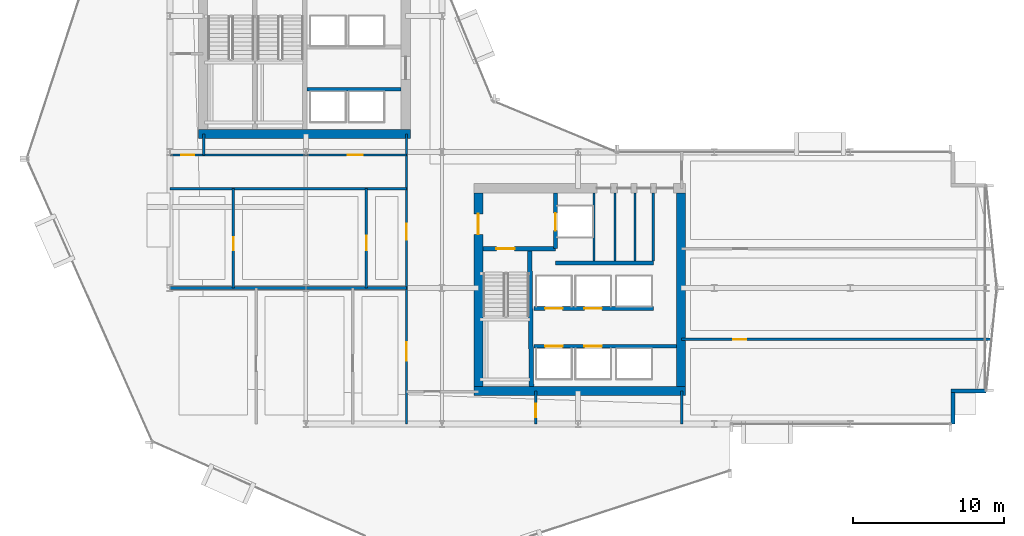
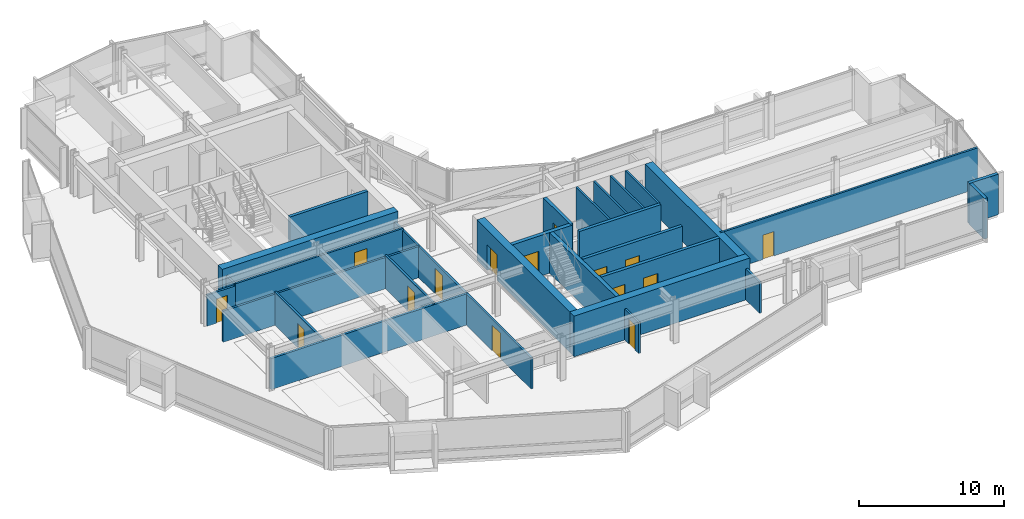
# One storey, part 27 of 34: 28 walls, 15 doors, 15 openings.
"""IFC4 building model written with IfcOpenShell, lengths in metres."""

from ifc_helpers import new_model, si_unit, direction, frame, frame_2d, origin, place, context, subcontext, project, spatial, rectangle, extrude, material, layer, layer_set, type_object, element, fill, save


model = new_model("IFC4")

# Units and contexts
model_context = context("Model", 3, precision=1e-05, world=origin(), true_north=direction((0.0, 1.0)))
body_context = subcontext(model_context, "Body", "Model", "MODEL_VIEW")
ifc_project = project(units=[si_unit("LENGTHUNIT", "METRE"), si_unit("AREAUNIT", "SQUARE_METRE"), si_unit("VOLUMEUNIT", "CUBIC_METRE"), si_unit("PLANEANGLEUNIT", "RADIAN"), si_unit("MASSUNIT", "GRAM", prefix="KILO")], contexts=[model_context])

# Site, building, storey
site_placement = place(None, origin())
site = spatial("IfcSite", under=ifc_project, at=site_placement, CompositionType="ELEMENT")
building_placement = place(site_placement, origin())
building = spatial("IfcBuilding", under=site, at=building_placement, Name="Solvaryn Broadcast Tower", CompositionType="ELEMENT")
storey_placement = place(building_placement, frame((0.0, 0.0, 73.0)))
storey = spatial("IfcBuildingStorey", under=building, at=storey_placement, Name="L17", CompositionType="ELEMENT", Elevation=73.0)

# Walls
ifc_material_1 = material(Name="Concrete f'c 70 MPa", Category="concrete")
ifc_layer_1 = layer(ifc_material_1, 0.60009765625)
ifc_layer_set_1 = layer_set([ifc_layer_1], Name="CW-SHEAR-600")
wall_type_1 = type_object("IfcWallType", Name="CW-SHEAR-600", PredefinedType="SHEAR", material=ifc_layer_set_1)
for number, where, z_axis, x_axis, name in (
    (1, (10.89990234375, 28.199951171875, 0.0), (0.0, 0.0, 1.0), (1.0, 0.0, 0.0), "L17 West Core South Shear Wall"),
    (2, (29.10009765625, 11.199951171875, 0.0), (0.0, 0.0, 1.0), (1.0, 0.0, 0.0), "L17 East Core South Shear Wall"),
):
    element("IfcWall", number, at=place(storey_placement, frame(where, z_axis=z_axis, x_axis=x_axis)), inside=storey, type_object=wall_type_1, Name=name, PredefinedType="SHEAR", context=body_context, shape_type="SweptSolid", body=[
        extrude(rectangle(XDim=14.0, YDim=0.60009765625, at=frame_2d((7.0, 0.0))), origin(), (0.0, 0.0, 1.0), 3.419921875),
    ])

# Wall, opening, door
wall_1_placement = place(storey_placement, frame((29.39990234375, 24.300048828125, 0.0), z_axis=(0.0, 0.0, 1.0), x_axis=(0.0, -1.0, 0.0)))
wall_1 = element("IfcWall", 3, at=wall_1_placement, inside=storey, type_object=wall_type_1, Name="L17 East Core West Shear Wall", PredefinedType="SHEAR", context=body_context, shape_type="SweptSolid", body=[
    extrude(rectangle(XDim=12.800048828125, YDim=0.60009765625, at=frame_2d((6.39990234375, 0.0))), origin(), (0.0, 0.0, 1.0), 3.419921875),
])
opening_1_placement = place(wall_1_placement, frame((1.39990234375, 0.0, 0.0)))
opening_1 = element("IfcOpeningElement", 4, at=opening_1_placement, cuts=wall_1, Name="Opening FD90B", PredefinedType="OPENING", context=body_context, shape_type="SweptSolid", body=[
    extrude(rectangle(XDim=1.35009765625, YDim=2.14990234375, at=frame_2d((0.675048828125, 1.074951171875))), frame((0.0, 0.31005859375, 0.0), z_axis=(0.0, -1.0, 0.0), x_axis=(1.0, 0.0, 0.0)), (0.0, 0.0, 1.0), 0.6201171875),
])
ifc_material_2 = material(Name="Flush Acoustic Steel and Timber Door Assembly", Category="steel")
door_type_1 = type_object("IfcDoorType", Name="FD90-LOBBY-1350X2150", OperationType="NOTDEFINED", PredefinedType="DOOR", material=ifc_material_2)
door_1_placement = place(opening_1_placement, origin())
door_1 = element("IfcDoor", 5, at=door_1_placement, inside=storey, type_object=door_type_1, Name="L17 East FSAE Lobby Door", OperationType="SINGLE_SWING_RIGHT", OverallHeight=2.14990234375, OverallWidth=1.35009765625, PredefinedType="DOOR", context=body_context, shape_type="SweptSolid", body=[
    extrude(rectangle(XDim=1.35009765625, YDim=2.14990234375, at=frame_2d((0.675048828125, 1.074951171875))), frame((0.0, 0.02490234375, 0.0), z_axis=(0.0, -1.0, 0.0), x_axis=(1.0, 0.0, 0.0)), (0.0, 0.0, 1.0), 0.050048828125),
])
fill(opening_1, door_1)

# Walls
wall_2_placement = place(storey_placement, frame((42.800048828125, 11.5, 0.0), z_axis=(0.0, 0.0, 1.0), x_axis=(0.0, 1.0, 0.0)))
element("IfcWall", 6, at=wall_2_placement, inside=storey, type_object=wall_type_1, Name="L17 East Core East Shear Wall", PredefinedType="SHEAR", context=body_context, shape_type="SweptSolid", body=[
    extrude(rectangle(XDim=12.800048828125, YDim=0.60009765625, at=frame_2d((6.39990234375, 0.0))), origin(), (0.0, 0.0, 1.0), 3.419921875),
])
ifc_material_3 = material(Name="Concrete f'c 50 MPa", Category="concrete")
ifc_layer_2 = layer(ifc_material_3, 0.260009765625)
ifc_layer_set_2 = layer_set([ifc_layer_2], Name="EW-PIER-260")
wall_type_2 = type_object("IfcWallType", Name="EW-PIER-260", PredefinedType="SOLIDWALL", material=ifc_layer_set_2)
wall_3_placement = place(storey_placement, frame((60.800048828125, 9.0, 0.0), z_axis=(0.0, 0.0, 1.0), x_axis=(0.0, 1.0, 0.0)))
element("IfcWall", 7, at=wall_3_placement, inside=storey, type_object=wall_type_2, Name="L17 Notched Corner Pier Wall NSE1", PredefinedType="SOLIDWALL", context=body_context, shape_type="SweptSolid", body=[
    extrude(rectangle(XDim=2.080078125, YDim=0.260009765625, at=frame_2d((1.0400390625, 0.0))), origin(), (0.0, 0.0, 1.0), 3.419921875),
])
wall_4_placement = place(storey_placement, frame((60.679931640625, 11.199951171875, 0.0), z_axis=(0.0, 0.0, 1.0), x_axis=(1.0, 0.0, 0.0)))
element("IfcWall", 8, at=wall_4_placement, inside=storey, type_object=wall_type_2, Name="L17 Notched Corner Pier Wall NSE2", PredefinedType="SOLIDWALL", context=body_context, shape_type="SweptSolid", body=[
    extrude(rectangle(XDim=2.320068359375, YDim=0.260009765625, at=frame_2d((1.16015625, 0.0))), origin(), (0.0, 0.0, 1.0), 3.419921875),
])
ifc_material_4 = material(Name="Metal-Stud Service Core Partition")
ifc_layer_3 = layer(ifc_material_4, 0.14990234375)
ifc_layer_set_3 = layer_set([ifc_layer_3], Name="IW-PART-150")
wall_type_3 = type_object("IfcWallType", Name="IW-PART-150", PredefinedType="PARTITIONING", material=ifc_layer_set_3)
for number, where, z_axis, x_axis, name in (
    (9, (37.050048828125, 19.780029296875, 0.0), (0.0, 0.0, 1.0), (0.0, 1.0, 0.0), "L17 Interior Partition IW-L17-CE-FL2E"),
    (10, (38.43994140625, 19.780029296875, 0.0), (0.0, 0.0, 1.0), (0.0, 1.0, 0.0), "L17 Interior Partition IW-L17-CE-V1"),
    (11, (39.77001953125, 19.780029296875, 0.0), (0.0, 0.0, 1.0), (0.0, 1.0, 0.0), "L17 Interior Partition IW-L17-CE-V2"),
    (12, (40.97998046875, 19.780029296875, 0.0), (0.0, 0.0, 1.0), (0.0, 1.0, 0.0), "L17 Interior Partition IW-L17-CE-V3"),
):
    element("IfcWall", number, at=place(storey_placement, frame(where, z_axis=z_axis, x_axis=x_axis)), inside=storey, type_object=wall_type_3, Name=name, PredefinedType="PARTITIONING", context=body_context, shape_type="SweptSolid", body=[
        extrude(rectangle(XDim=4.52001953125, YDim=0.14990234375, at=frame_2d((2.260009765625, 0.0))), origin(), (0.0, 0.0, 1.0), 3.419921875),
    ])

# Wall, opening, door
wall_5_placement = place(storey_placement, frame((33.199951171875, 9.0, 0.0), z_axis=(0.0, 0.0, 1.0), x_axis=(0.0, 1.0, 0.0)))
wall_5 = element("IfcWall", 13, at=wall_5_placement, inside=storey, type_object=wall_type_3, Name="L17 Interior Partition IW-L17-SC-V", PredefinedType="PARTITIONING", context=body_context, shape_type="SweptSolid", body=[
    extrude(rectangle(XDim=2.199951171875, YDim=0.14990234375, at=frame_2d((1.10009765625, 0.0))), origin(), (0.0, 0.0, 1.0), 2.626953125),
])
opening_2_placement = place(wall_5_placement, frame((0.449951171875, 0.0, 0.0)))
opening_2 = element("IfcOpeningElement", 14, at=opening_2_placement, cuts=wall_5, Name="Opening FD60C", PredefinedType="OPENING", context=body_context, shape_type="SweptSolid", body=[
    extrude(rectangle(XDim=0.89990234375, YDim=2.10009765625, at=frame_2d((0.449951171875, 1.050048828125))), frame((0.0, 0.0849609375, 0.0), z_axis=(0.0, -1.0, 0.0), x_axis=(1.0, 0.0, 0.0)), (0.0, 0.0, 1.0), 0.169921875),
])
ifc_material_5 = material(Name="Flush Acoustic Steel and Timber Door Assembly", Category="steel")
door_type_2 = type_object("IfcDoorType", Name="FD60-SERV-900X2100", OperationType="NOTDEFINED", PredefinedType="DOOR", material=ifc_material_5)
door_2_placement = place(opening_2_placement, origin())
door_2 = element("IfcDoor", 15, at=door_2_placement, inside=storey, type_object=door_type_2, Name="L17 Door DR-L17-SC1", OperationType="SINGLE_SWING_RIGHT", OverallHeight=2.10009765625, OverallWidth=0.89990234375, PredefinedType="DOOR", context=body_context, shape_type="SweptSolid", body=[
    extrude(rectangle(XDim=0.89990234375, YDim=2.10009765625, at=frame_2d((0.449951171875, 1.050048828125))), frame((0.0, 0.02490234375, 0.0), z_axis=(0.0, -1.0, 0.0), x_axis=(1.0, 0.0, 0.0)), (0.0, 0.0, 1.0), 0.050048828125),
])
fill(opening_2, door_2)

ifc_material_6 = material(Name="Metal-Stud Gypsum Office Partition")
ifc_layer_4 = layer(ifc_material_6, 0.159912109375)
ifc_layer_set_4 = layer_set([ifc_layer_4], Name="IW-PART-160")
wall_type_4 = type_object("IfcWallType", Name="IW-PART-160", PredefinedType="PARTITIONING", material=ifc_layer_set_4)
wall_6_placement = place(storey_placement, frame((9.0, 26.800048828125, 0.0), z_axis=(0.0, 0.0, 1.0), x_axis=(1.0, 0.0, 0.0)))
wall_6 = element("IfcWall", 16, at=wall_6_placement, inside=storey, type_object=wall_type_4, Name="L17 Interior Partition IW-L17-WM-S", PredefinedType="PARTITIONING", context=body_context, shape_type="SweptSolid", body=[
    extrude(rectangle(XDim=2.25, YDim=0.159912109375, at=frame_2d((1.125, 0.0))), origin(), (0.0, 0.0, 1.0), 2.626953125),
])
opening_3_placement = place(wall_6_placement, frame((0.75, 0.0, 0.0)))
opening_3 = element("IfcOpeningElement", 17, at=opening_3_placement, cuts=wall_6, Name="Opening ID07", PredefinedType="OPENING", context=body_context, shape_type="SweptSolid", body=[
    extrude(rectangle(XDim=0.860107421875, YDim=2.050048828125, at=frame_2d((0.43017578125, 1.02490234375))), frame((0.0, 0.090087890625, 0.0), z_axis=(0.0, -1.0, 0.0), x_axis=(1.0, 0.0, 0.0)), (0.0, 0.0, 1.0), 0.179931640625),
])
ifc_material_7 = material(Name="Flush Acoustic Steel and Timber Door Assembly", Category="steel")
door_type_3 = type_object("IfcDoorType", Name="ID-07-860X2050", OperationType="NOTDEFINED", PredefinedType="DOOR", material=ifc_material_7)
door_3_placement = place(opening_3_placement, origin())
door_3 = element("IfcDoor", 18, at=door_3_placement, inside=storey, type_object=door_type_3, Name="L17 Door DR-L17-WM0", OperationType="SINGLE_SWING_LEFT", OverallHeight=2.050048828125, OverallWidth=0.860107421875, PredefinedType="DOOR", context=body_context, shape_type="SweptSolid", body=[
    extrude(rectangle(XDim=0.860107421875, YDim=2.050048828125, at=frame_2d((0.43017578125, 1.02490234375))), frame((0.0, 0.02490234375, 0.0), z_axis=(0.0, -1.0, 0.0), x_axis=(1.0, 0.0, 0.0)), (0.0, 0.0, 1.0), 0.050048828125),
])
fill(opening_3, door_3)

# Wall, openings, doors
wall_7_placement = place(storey_placement, frame((24.64990234375, 9.0, 0.0), z_axis=(0.0, 0.0, 1.0), x_axis=(0.0, 1.0, 0.0)))
wall_7 = element("IfcWall", 19, at=wall_7_placement, inside=storey, type_object=wall_type_4, Name="L17 Interior Partition IW-L17-SW-EB", PredefinedType="PARTITIONING", context=body_context, shape_type="SweptSolid", body=[
    extrude(rectangle(XDim=19.199951171875, YDim=0.159912109375, at=frame_2d((9.60009765625, 0.0))), origin(), (0.0, 0.0, 1.0), 2.626953125),
])
opening_4_placement = place(wall_7_placement, frame((12.199951171875, 0.0, 0.0)))
opening_4 = element("IfcOpeningElement", 20, at=opening_4_placement, cuts=wall_7, Name="Opening ID03", PredefinedType="OPENING", context=body_context, shape_type="SweptSolid", body=[
    extrude(rectangle(XDim=1.050048828125, YDim=2.14990234375, at=frame_2d((0.52490234375, 1.074951171875))), frame((0.0, 0.090087890625, 0.0), z_axis=(0.0, -1.0, 0.0), x_axis=(1.0, 0.0, 0.0)), (0.0, 0.0, 1.0), 0.179931640625),
])
opening_5_placement = place(wall_7_placement, frame((4.199951171875, 0.0, 0.0)))
opening_5 = element("IfcOpeningElement", 21, at=opening_5_placement, cuts=wall_7, Name="Opening ID04", PredefinedType="OPENING", context=body_context, shape_type="SweptSolid", body=[
    extrude(rectangle(XDim=1.199951171875, YDim=2.14990234375, at=frame_2d((0.60009765625, 1.074951171875))), frame((0.0, 0.090087890625, 0.0), z_axis=(0.0, -1.0, 0.0), x_axis=(1.0, 0.0, 0.0)), (0.0, 0.0, 1.0), 0.179931640625),
])
ifc_material_8 = material(Name="Flush Acoustic Steel and Timber Door Assembly", Category="steel")
door_type_4 = type_object("IfcDoorType", Name="ID-03-1050X2150", OperationType="NOTDEFINED", PredefinedType="DOOR", material=ifc_material_8)
door_4_placement = place(opening_4_placement, origin())
door_4 = element("IfcDoor", 22, at=door_4_placement, inside=storey, type_object=door_type_4, Name="L17 Door DR-L17-SW-EN", OperationType="SINGLE_SWING_RIGHT", OverallHeight=2.14990234375, OverallWidth=1.050048828125, PredefinedType="DOOR", context=body_context, shape_type="SweptSolid", body=[
    extrude(rectangle(XDim=1.050048828125, YDim=2.14990234375, at=frame_2d((0.52490234375, 1.074951171875))), frame((0.0, 0.02490234375, 0.0), z_axis=(0.0, -1.0, 0.0), x_axis=(1.0, 0.0, 0.0)), (0.0, 0.0, 1.0), 0.050048828125),
])
fill(opening_4, door_4)
ifc_material_9 = material(Name="Flush Acoustic Steel and Timber Door Assembly", Category="steel")
door_type_5 = type_object("IfcDoorType", Name="ID-04-1200X2150", OperationType="NOTDEFINED", PredefinedType="DOOR", material=ifc_material_9)
door_5_placement = place(opening_5_placement, origin())
door_5 = element("IfcDoor", 23, at=door_5_placement, inside=storey, type_object=door_type_5, Name="L17 Door DR-L17-SW-ES", OperationType="SINGLE_SWING_LEFT", OverallHeight=2.14990234375, OverallWidth=1.199951171875, PredefinedType="DOOR", context=body_context, shape_type="SweptSolid", body=[
    extrude(rectangle(XDim=1.199951171875, YDim=2.14990234375, at=frame_2d((0.60009765625, 1.074951171875))), frame((0.0, 0.02490234375, 0.0), z_axis=(0.0, -1.0, 0.0), x_axis=(1.0, 0.0, 0.0)), (0.0, 0.0, 1.0), 0.050048828125),
])
fill(opening_5, door_5)

# Wall
wall_8_placement = place(storey_placement, frame((9.0, 24.580078125, 0.0), z_axis=(0.0, 0.0, 1.0), x_axis=(1.0, 0.0, 0.0)))
element("IfcWall", 24, at=wall_8_placement, inside=storey, type_object=wall_type_4, Name="L17 Interior Partition IW-L17-SW-NB", PredefinedType="PARTITIONING", context=body_context, shape_type="SweptSolid", body=[
    extrude(rectangle(XDim=15.64990234375, YDim=0.159912109375, at=frame_2d((7.824951171875, 0.0))), origin(), (0.0, 0.0, 1.0), 2.626953125),
])

# Wall, opening, door
wall_9_placement = place(storey_placement, frame((11.25, 26.800048828125, 0.0), z_axis=(0.0, 0.0, 1.0), x_axis=(1.0, 0.0, 0.0)))
wall_9 = element("IfcWall", 25, at=wall_9_placement, inside=storey, type_object=wall_type_4, Name="L17 Interior Partition IW-L17-SW-N2", PredefinedType="PARTITIONING", context=body_context, shape_type="SweptSolid", body=[
    extrude(rectangle(XDim=13.39990234375, YDim=0.159912109375, at=frame_2d((6.699951171875, 0.0))), origin(), (0.0, 0.0, 1.0), 2.7890625),
])
opening_6_placement = place(wall_9_placement, frame((9.5, 0.0, 0.0)))
opening_6 = element("IfcOpeningElement", 26, at=opening_6_placement, cuts=wall_9, Name="Opening ID02", PredefinedType="OPENING", context=body_context, shape_type="SweptSolid", body=[
    extrude(rectangle(XDim=1.0, YDim=2.10009765625, at=frame_2d((0.5, 1.050048828125))), frame((0.0, 0.090087890625, 0.0), z_axis=(0.0, -1.0, 0.0), x_axis=(1.0, 0.0, 0.0)), (0.0, 0.0, 1.0), 0.179931640625),
])
ifc_material_10 = material(Name="Flush Acoustic Steel and Timber Door Assembly", Category="steel")
door_type_6 = type_object("IfcDoorType", Name="ID-02-1000X2100", OperationType="NOTDEFINED", PredefinedType="DOOR", material=ifc_material_10)
door_6_placement = place(opening_6_placement, origin())
door_6 = element("IfcDoor", 27, at=door_6_placement, inside=storey, type_object=door_type_6, Name="L17 Door DR-L17-SW-ALC", OperationType="SINGLE_SWING_LEFT", OverallHeight=2.10009765625, OverallWidth=1.0, PredefinedType="DOOR", context=body_context, shape_type="SweptSolid", body=[
    extrude(rectangle(XDim=1.0, YDim=2.10009765625, at=frame_2d((0.5, 1.050048828125))), frame((0.0, 0.02490234375, 0.0), z_axis=(0.0, -1.0, 0.0), x_axis=(1.0, 0.0, 0.0)), (0.0, 0.0, 1.0), 0.050048828125),
])
fill(opening_6, door_6)

# Wall
wall_10_placement = place(storey_placement, frame((11.25, 26.800048828125, 0.0), z_axis=(0.0, 0.0, 1.0), x_axis=(0.0, 1.0, 0.0)))
element("IfcWall", 28, at=wall_10_placement, inside=storey, type_object=wall_type_4, Name="L17 Interior Partition IW-L17-SW-ALW", PredefinedType="PARTITIONING", context=body_context, shape_type="SweptSolid", body=[
    extrude(rectangle(XDim=1.39990234375, YDim=0.159912109375, at=frame_2d((0.699951171875, 0.0))), origin(), (0.0, 0.0, 1.0), 2.7890625),
])

# Wall, opening, door
wall_11_placement = place(storey_placement, frame((13.199951171875, 18.0, 0.0), z_axis=(0.0, 0.0, 1.0), x_axis=(0.0, 1.0, 0.0)))
wall_11 = element("IfcWall", 29, at=wall_11_placement, inside=storey, type_object=wall_type_4, Name="L17 Interior Partition IW-L17-SWN-V1", PredefinedType="PARTITIONING", context=body_context, shape_type="SweptSolid", body=[
    extrude(rectangle(XDim=6.580078125, YDim=0.159912109375, at=frame_2d((3.2900390625, 0.0))), origin(), (0.0, 0.0, 1.0), 2.7890625),
])
opening_7_placement = place(wall_11_placement, frame((2.5, 0.0, 0.0)))
opening_7 = element("IfcOpeningElement", 30, at=opening_7_placement, cuts=wall_11, Name="Opening ID07", PredefinedType="OPENING", context=body_context, shape_type="SweptSolid", body=[
    extrude(rectangle(XDim=0.860107421875, YDim=2.050048828125, at=frame_2d((0.43017578125, 1.02490234375))), frame((0.0, 0.090087890625, 0.0), z_axis=(0.0, -1.0, 0.0), x_axis=(1.0, 0.0, 0.0)), (0.0, 0.0, 1.0), 0.179931640625),
])
door_7_placement = place(opening_7_placement, origin())
door_7 = element("IfcDoor", 31, at=door_7_placement, inside=storey, type_object=door_type_3, Name="L17 Door DR-L17-SWN-1", OperationType="SINGLE_SWING_RIGHT", OverallHeight=2.050048828125, OverallWidth=0.860107421875, PredefinedType="DOOR", context=body_context, shape_type="SweptSolid", body=[
    extrude(rectangle(XDim=0.860107421875, YDim=2.050048828125, at=frame_2d((0.43017578125, 1.02490234375))), frame((0.0, 0.02490234375, 0.0), z_axis=(0.0, -1.0, 0.0), x_axis=(1.0, 0.0, 0.0)), (0.0, 0.0, 1.0), 0.050048828125),
])
fill(opening_7, door_7)

wall_12_placement = place(storey_placement, frame((22.0, 18.0, 0.0), z_axis=(0.0, 0.0, 1.0), x_axis=(0.0, 1.0, 0.0)))
wall_12 = element("IfcWall", 32, at=wall_12_placement, inside=storey, type_object=wall_type_4, Name="L17 Interior Partition IW-L17-SWN-V2", PredefinedType="PARTITIONING", context=body_context, shape_type="SweptSolid", body=[
    extrude(rectangle(XDim=6.580078125, YDim=0.159912109375, at=frame_2d((3.2900390625, 0.0))), origin(), (0.0, 0.0, 1.0), 2.7890625),
])
opening_8_placement = place(wall_12_placement, frame((2.5, 0.0, 0.0)))
opening_8 = element("IfcOpeningElement", 33, at=opening_8_placement, cuts=wall_12, Name="Opening ID01", PredefinedType="OPENING", context=body_context, shape_type="SweptSolid", body=[
    extrude(rectangle(XDim=0.949951171875, YDim=2.10009765625, at=frame_2d((0.47509765625, 1.050048828125))), frame((0.0, 0.090087890625, 0.0), z_axis=(0.0, -1.0, 0.0), x_axis=(1.0, 0.0, 0.0)), (0.0, 0.0, 1.0), 0.179931640625),
])
ifc_material_11 = material(Name="Flush Acoustic Steel and Timber Door Assembly", Category="steel")
door_type_7 = type_object("IfcDoorType", Name="ID-01-950X2100", OperationType="NOTDEFINED", PredefinedType="DOOR", material=ifc_material_11)
door_8_placement = place(opening_8_placement, origin())
door_8 = element("IfcDoor", 34, at=door_8_placement, inside=storey, type_object=door_type_7, Name="L17 Door DR-L17-SWN-2", OperationType="SINGLE_SWING_LEFT", OverallHeight=2.10009765625, OverallWidth=0.949951171875, PredefinedType="DOOR", context=body_context, shape_type="SweptSolid", body=[
    extrude(rectangle(XDim=0.949951171875, YDim=2.10009765625, at=frame_2d((0.47509765625, 1.050048828125))), frame((0.0, 0.02490234375, 0.0), z_axis=(0.0, -1.0, 0.0), x_axis=(1.0, 0.0, 0.0)), (0.0, 0.0, 1.0), 0.050048828125),
])
fill(opening_8, door_8)

# Wall
wall_13_placement = place(storey_placement, frame((42.85009765625, 9.0, 0.0), z_axis=(0.0, 0.0, 1.0), x_axis=(0.0, 1.0, 0.0)))
element("IfcWall", 35, at=wall_13_placement, inside=storey, type_object=wall_type_4, Name="L17 Interior Partition IW-L17-SC-E", PredefinedType="PARTITIONING", context=body_context, shape_type="SweptSolid", body=[
    extrude(rectangle(XDim=2.199951171875, YDim=0.159912109375, at=frame_2d((1.10009765625, 0.0))), origin(), (0.0, 0.0, 1.0), 2.626953125),
])

# Wall, opening, door
wall_14_placement = place(storey_placement, frame((42.85009765625, 14.60009765625, 0.0), z_axis=(0.0, 0.0, 1.0), x_axis=(1.0, 0.0, 0.0)))
wall_14 = element("IfcWall", 36, at=wall_14_placement, inside=storey, type_object=wall_type_4, Name="L17 Interior Partition IW-L17-EW-H1", PredefinedType="PARTITIONING", context=body_context, shape_type="SweptSolid", body=[
    extrude(rectangle(XDim=20.5, YDim=0.159912109375, at=frame_2d((10.25, 0.0))), origin(), (0.0, 0.0, 1.0), 3.419921875),
])
opening_9_placement = place(wall_14_placement, frame((3.39990234375, 0.0, 0.0)))
opening_9 = element("IfcOpeningElement", 37, at=opening_9_placement, cuts=wall_14, Name="Opening ID07", PredefinedType="OPENING", context=body_context, shape_type="SweptSolid", body=[
    extrude(rectangle(XDim=0.860107421875, YDim=2.050048828125, at=frame_2d((0.43017578125, 1.02490234375))), frame((0.0, 0.090087890625, 0.0), z_axis=(0.0, -1.0, 0.0), x_axis=(1.0, 0.0, 0.0)), (0.0, 0.0, 1.0), 0.179931640625),
])
door_9_placement = place(opening_9_placement, origin())
door_9 = element("IfcDoor", 38, at=door_9_placement, inside=storey, type_object=door_type_3, Name="L17 Door DR-L17-EW-1", OperationType="SINGLE_SWING_RIGHT", OverallHeight=2.050048828125, OverallWidth=0.860107421875, PredefinedType="DOOR", context=body_context, shape_type="SweptSolid", body=[
    extrude(rectangle(XDim=0.860107421875, YDim=2.050048828125, at=frame_2d((0.43017578125, 1.02490234375))), frame((0.0, 0.02490234375, 0.0), z_axis=(0.0, -1.0, 0.0), x_axis=(1.0, 0.0, 0.0)), (0.0, 0.0, 1.0), 0.050048828125),
])
fill(opening_9, door_9)

# Walls
ifc_material_12 = material(Name="Acoustic Metal-Stud Gypsum Partition")
ifc_layer_5 = layer(ifc_material_12, 0.179931640625)
ifc_layer_set_5 = layer_set([ifc_layer_5], Name="IW-PART-180")
wall_type_5 = type_object("IfcWallType", Name="IW-PART-180", PredefinedType="PARTITIONING", material=ifc_layer_set_5)
wall_15_placement = place(storey_placement, frame((9.0, 18.0, 0.0), z_axis=(0.0, 0.0, 1.0), x_axis=(1.0, 0.0, 0.0)))
element("IfcWall", 39, at=wall_15_placement, inside=storey, type_object=wall_type_5, Name="L17 Interior Partition IW-L17-SW-HY", PredefinedType="PARTITIONING", context=body_context, shape_type="SweptSolid", body=[
    extrude(rectangle(XDim=15.64990234375, YDim=0.179931640625, at=frame_2d((7.824951171875, 0.0))), origin(), (0.0, 0.0, 1.0), 2.626953125),
])
ifc_material_13 = material(Name="Concrete f'c 60 MPa", Category="concrete")
ifc_layer_6 = layer(ifc_material_13, 0.25)
ifc_layer_set_6 = layer_set([ifc_layer_6], Name="SW-SHAFT-250")
wall_type_6 = type_object("IfcWallType", Name="SW-SHAFT-250", PredefinedType="PARTITIONING", material=ifc_layer_set_6)
wall_16_placement = place(storey_placement, frame((18.070068359375, 31.14990234375, 0.0), z_axis=(0.0, 0.0, 1.0), x_axis=(1.0, 0.0, 0.0)))
element("IfcWall", 40, at=wall_16_placement, inside=storey, type_object=wall_type_6, Name="L17 High-Rise Lift Bank South Wall", PredefinedType="PARTITIONING", context=body_context, shape_type="SweptSolid", body=[
    extrude(rectangle(XDim=6.22998046875, YDim=0.25, at=frame_2d((3.114990234375, 0.0))), origin(), (0.0, 0.0, 1.0), 3.419921875),
])

# Wall, opening, door
wall_17_placement = place(storey_placement, frame((34.5, 20.60009765625, 0.0), z_axis=(0.0, 0.0, 1.0), x_axis=(0.0, 1.0, 0.0)))
wall_17 = element("IfcWall", 41, at=wall_17_placement, inside=storey, type_object=wall_type_6, Name="L17 East FSAE Lobby East Wall", PredefinedType="PARTITIONING", context=body_context, shape_type="SweptSolid", body=[
    extrude(rectangle(XDim=3.699951171875, YDim=0.25, at=frame_2d((1.85009765625, 0.0))), origin(), (0.0, 0.0, 1.0), 3.419921875),
])
opening_10_placement = place(wall_17_placement, frame((1.199951171875, 0.0, 0.0)))
opening_10 = element("IfcOpeningElement", 42, at=opening_10_placement, cuts=wall_17, Name="Opening LD01", PredefinedType="OPENING", context=body_context, shape_type="SweptSolid", body=[
    extrude(rectangle(XDim=1.14990234375, YDim=2.14990234375, at=frame_2d((0.574951171875, 1.074951171875))), frame((0.0, 0.135009765625, 0.0), z_axis=(0.0, -1.0, 0.0), x_axis=(1.0, 0.0, 0.0)), (0.0, 0.0, 1.0), 0.27001953125),
])
ifc_material_14 = material(Name="Flush Acoustic Steel and Timber Door Assembly", Category="steel")
door_type_8 = type_object("IfcDoorType", Name="LD-LIFT-1150X2150", OperationType="NOTDEFINED", PredefinedType="DOOR", material=ifc_material_14)
door_10_placement = place(opening_10_placement, origin())
door_10 = element("IfcDoor", 43, at=door_10_placement, inside=storey, type_object=door_type_8, Name="L17 FL2 Lift Landing Door", OperationType="DOUBLE_DOOR_SLIDING", OverallHeight=2.14990234375, OverallWidth=1.14990234375, PredefinedType="DOOR", context=body_context, shape_type="SweptSolid", body=[
    extrude(rectangle(XDim=1.14990234375, YDim=2.14990234375, at=frame_2d((0.574951171875, 1.074951171875))), frame((0.0, 0.02490234375, 0.0), z_axis=(0.0, -1.0, 0.0), x_axis=(1.0, 0.0, 0.0)), (0.0, 0.0, 1.0), 0.050048828125),
])
fill(opening_10, door_10)

# Wall
wall_18_placement = place(storey_placement, frame((34.5, 19.64990234375, 0.0), z_axis=(0.0, 0.0, 1.0), x_axis=(1.0, 0.0, 0.0)))
element("IfcWall", 44, at=wall_18_placement, inside=storey, type_object=wall_type_6, Name="L17 East Core Restroom South Wall", PredefinedType="PARTITIONING", context=body_context, shape_type="SweptSolid", body=[
    extrude(rectangle(XDim=6.47998046875, YDim=0.25, at=frame_2d((3.239990234375, 0.0))), origin(), (0.0, 0.0, 1.0), 3.419921875),
])

# Wall, openings, doors
wall_19_placement = place(storey_placement, frame((33.070068359375, 14.14990234375, 0.0), z_axis=(0.0, 0.0, 1.0), x_axis=(1.0, 0.0, 0.0)))
wall_19 = element("IfcWall", 45, at=wall_19_placement, inside=storey, type_object=wall_type_6, Name="L17 East Lift Bank South Wall", PredefinedType="PARTITIONING", context=body_context, shape_type="SweptSolid", body=[
    extrude(rectangle(XDim=9.429931640625, YDim=0.25, at=frame_2d((4.71484375, 0.0))), origin(), (0.0, 0.0, 1.0), 3.419921875),
])
opening_11_placement = place(wall_19_placement, frame((0.7548828125, 0.0, 0.0)))
opening_11 = element("IfcOpeningElement", 46, at=opening_11_placement, cuts=wall_19, Name="Opening LD01", PredefinedType="OPENING", context=body_context, shape_type="SweptSolid", body=[
    extrude(rectangle(XDim=1.14990234375, YDim=2.14990234375, at=frame_2d((0.574951171875, 1.074951171875))), frame((0.0, 0.135009765625, 0.0), z_axis=(0.0, -1.0, 0.0), x_axis=(1.0, 0.0, 0.0)), (0.0, 0.0, 1.0), 0.27001953125),
])
opening_12_placement = place(wall_19_placement, frame((3.35498046875, 0.0, 0.0)))
opening_12 = element("IfcOpeningElement", 47, at=opening_12_placement, cuts=wall_19, Name="Opening LD01", PredefinedType="OPENING", context=body_context, shape_type="SweptSolid", body=[
    extrude(rectangle(XDim=1.14990234375, YDim=2.14990234375, at=frame_2d((0.574951171875, 1.074951171875))), frame((0.0, 0.135009765625, 0.0), z_axis=(0.0, -1.0, 0.0), x_axis=(1.0, 0.0, 0.0)), (0.0, 0.0, 1.0), 0.27001953125),
])
door_11_placement = place(opening_11_placement, origin())
door_11 = element("IfcDoor", 48, at=door_11_placement, inside=storey, type_object=door_type_8, Name="L17 PL1 Lift Landing Door", OperationType="DOUBLE_DOOR_SLIDING", OverallHeight=2.14990234375, OverallWidth=1.14990234375, PredefinedType="DOOR", context=body_context, shape_type="SweptSolid", body=[
    extrude(rectangle(XDim=1.14990234375, YDim=2.14990234375, at=frame_2d((0.574951171875, 1.074951171875))), frame((0.0, 0.02490234375, 0.0), z_axis=(0.0, -1.0, 0.0), x_axis=(1.0, 0.0, 0.0)), (0.0, 0.0, 1.0), 0.050048828125),
])
fill(opening_11, door_11)
door_12_placement = place(opening_12_placement, origin())
door_12 = element("IfcDoor", 49, at=door_12_placement, inside=storey, type_object=door_type_8, Name="L17 PL2 Lift Landing Door", OperationType="DOUBLE_DOOR_SLIDING", OverallHeight=2.14990234375, OverallWidth=1.14990234375, PredefinedType="DOOR", context=body_context, shape_type="SweptSolid", body=[
    extrude(rectangle(XDim=1.14990234375, YDim=2.14990234375, at=frame_2d((0.574951171875, 1.074951171875))), frame((0.0, 0.02490234375, 0.0), z_axis=(0.0, -1.0, 0.0), x_axis=(1.0, 0.0, 0.0)), (0.0, 0.0, 1.0), 0.050048828125),
])
fill(opening_12, door_12)

wall_20_placement = place(storey_placement, frame((40.97998046875, 16.64990234375, 0.0), z_axis=(0.0, 0.0, 1.0), x_axis=(-1.0, 0.0, 0.0)))
wall_20 = element("IfcWall", 50, at=wall_20_placement, inside=storey, type_object=wall_type_6, Name="L17 East Lift Bank North Wall", PredefinedType="PARTITIONING", context=body_context, shape_type="SweptSolid", body=[
    extrude(rectangle(XDim=7.909912109375, YDim=0.25, at=frame_2d((3.955078125, 0.0))), origin(), (0.0, 0.0, 1.0), 3.419921875),
])
opening_13_placement = place(wall_20_placement, frame((6.0048828125, 0.0, 0.0)))
opening_13 = element("IfcOpeningElement", 51, at=opening_13_placement, cuts=wall_20, Name="Opening LD01", PredefinedType="OPENING", context=body_context, shape_type="SweptSolid", body=[
    extrude(rectangle(XDim=1.14990234375, YDim=2.14990234375, at=frame_2d((0.574951171875, 1.074951171875))), frame((0.0, 0.135009765625, 0.0), z_axis=(0.0, -1.0, 0.0), x_axis=(1.0, 0.0, 0.0)), (0.0, 0.0, 1.0), 0.27001953125),
])
opening_14_placement = place(wall_20_placement, frame((3.405029296875, 0.0, 0.0)))
opening_14 = element("IfcOpeningElement", 52, at=opening_14_placement, cuts=wall_20, Name="Opening LD01", PredefinedType="OPENING", context=body_context, shape_type="SweptSolid", body=[
    extrude(rectangle(XDim=1.14990234375, YDim=2.14990234375, at=frame_2d((0.574951171875, 1.074951171875))), frame((0.0, 0.135009765625, 0.0), z_axis=(0.0, -1.0, 0.0), x_axis=(1.0, 0.0, 0.0)), (0.0, 0.0, 1.0), 0.27001953125),
])
door_13_placement = place(opening_13_placement, origin())
door_13 = element("IfcDoor", 53, at=door_13_placement, inside=storey, type_object=door_type_8, Name="L17 PL3 Lift Landing Door", OperationType="DOUBLE_DOOR_SLIDING", OverallHeight=2.14990234375, OverallWidth=1.14990234375, PredefinedType="DOOR", context=body_context, shape_type="SweptSolid", body=[
    extrude(rectangle(XDim=1.14990234375, YDim=2.14990234375, at=frame_2d((0.574951171875, 1.074951171875))), frame((0.0, 0.02490234375, 0.0), z_axis=(0.0, -1.0, 0.0), x_axis=(1.0, 0.0, 0.0)), (0.0, 0.0, 1.0), 0.050048828125),
])
fill(opening_13, door_13)
door_14_placement = place(opening_14_placement, origin())
door_14 = element("IfcDoor", 54, at=door_14_placement, inside=storey, type_object=door_type_8, Name="L17 PL4 Lift Landing Door", OperationType="DOUBLE_DOOR_SLIDING", OverallHeight=2.14990234375, OverallWidth=1.14990234375, PredefinedType="DOOR", context=body_context, shape_type="SweptSolid", body=[
    extrude(rectangle(XDim=1.14990234375, YDim=2.14990234375, at=frame_2d((0.574951171875, 1.074951171875))), frame((0.0, 0.02490234375, 0.0), z_axis=(0.0, -1.0, 0.0), x_axis=(1.0, 0.0, 0.0)), (0.0, 0.0, 1.0), 0.050048828125),
])
fill(opening_14, door_14)

# Wall
ifc_material_15 = material(Name="Concrete f'c 70 MPa", Category="concrete")
ifc_layer_7 = layer(ifc_material_15, 0.300048828125)
ifc_layer_set_7 = layer_set([ifc_layer_7], Name="SW-SHAFT-300")
wall_type_7 = type_object("IfcWallType", Name="SW-SHAFT-300", PredefinedType="SHEAR", material=ifc_layer_set_7)
wall_21_placement = place(storey_placement, frame((32.919921875, 11.5, 0.0), z_axis=(0.0, 0.0, 1.0), x_axis=(-0.013244407292, 0.999912288991, 0.0)))
element("IfcWall", 55, at=wall_21_placement, inside=storey, type_object=wall_type_7, Name="L17 Stair 3 East Shear Wall", PredefinedType="SHEAR", context=body_context, shape_type="SweptSolid", body=[
    extrude(rectangle(XDim=9.05078125, YDim=0.300048828125, at=frame_2d((4.525390625, 0.0))), origin(), (0.0, 0.0, 1.0), 3.419921875),
])

# Wall, opening, door
wall_22_placement = place(storey_placement, frame((34.5, 20.60009765625, 0.0), z_axis=(0.0, 0.0, 1.0), x_axis=(-1.0, 0.0, 0.0)))
wall_22 = element("IfcWall", 56, at=wall_22_placement, inside=storey, type_object=wall_type_7, Name="L17 East FSAE Lobby South Wall", PredefinedType="SHEAR", context=body_context, shape_type="SweptSolid", body=[
    extrude(rectangle(XDim=4.800048828125, YDim=0.300048828125, at=frame_2d((2.39990234375, 0.0))), origin(), (0.0, 0.0, 1.0), 3.419921875),
])
opening_15_placement = place(wall_22_placement, frame((2.699951171875, 0.0, 0.0)))
opening_15 = element("IfcOpeningElement", 57, at=opening_15_placement, cuts=wall_22, Name="Opening FD90A", PredefinedType="OPENING", context=body_context, shape_type="SweptSolid", body=[
    extrude(rectangle(XDim=1.199951171875, YDim=2.14990234375, at=frame_2d((0.60009765625, 1.074951171875))), frame((0.0, 0.159912109375, 0.0), z_axis=(0.0, -1.0, 0.0), x_axis=(1.0, 0.0, 0.0)), (0.0, 0.0, 1.0), 0.320068359375),
])
ifc_material_16 = material(Name="Flush Acoustic Steel and Timber Door Assembly", Category="steel")
door_type_9 = type_object("IfcDoorType", Name="FD90-STAIR-1200X2150", OperationType="NOTDEFINED", PredefinedType="DOOR", material=ifc_material_16)
door_15_placement = place(opening_15_placement, origin())
door_15 = element("IfcDoor", 58, at=door_15_placement, inside=storey, type_object=door_type_9, Name="L17 Stair 3 Fire Door", OperationType="SINGLE_SWING_LEFT", OverallHeight=2.14990234375, OverallWidth=1.199951171875, PredefinedType="DOOR", context=body_context, shape_type="SweptSolid", body=[
    extrude(rectangle(XDim=1.199951171875, YDim=2.14990234375, at=frame_2d((0.60009765625, 1.074951171875))), frame((0.0, 0.02490234375, 0.0), z_axis=(0.0, -1.0, 0.0), x_axis=(1.0, 0.0, 0.0)), (0.0, 0.0, 1.0), 0.050048828125),
])
fill(opening_15, door_15)

save(model, "model.ifc")
